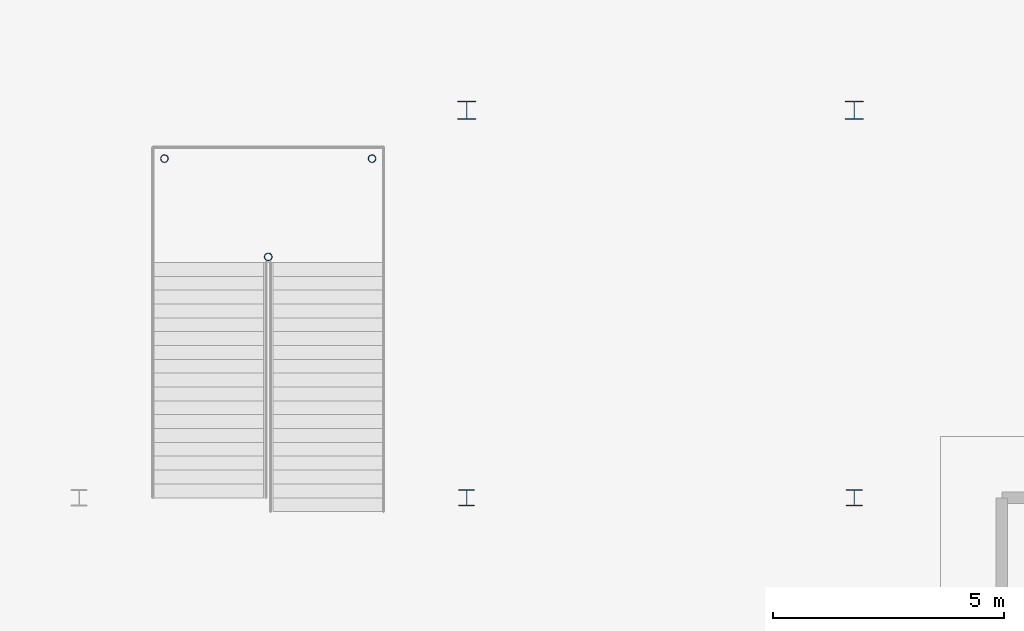
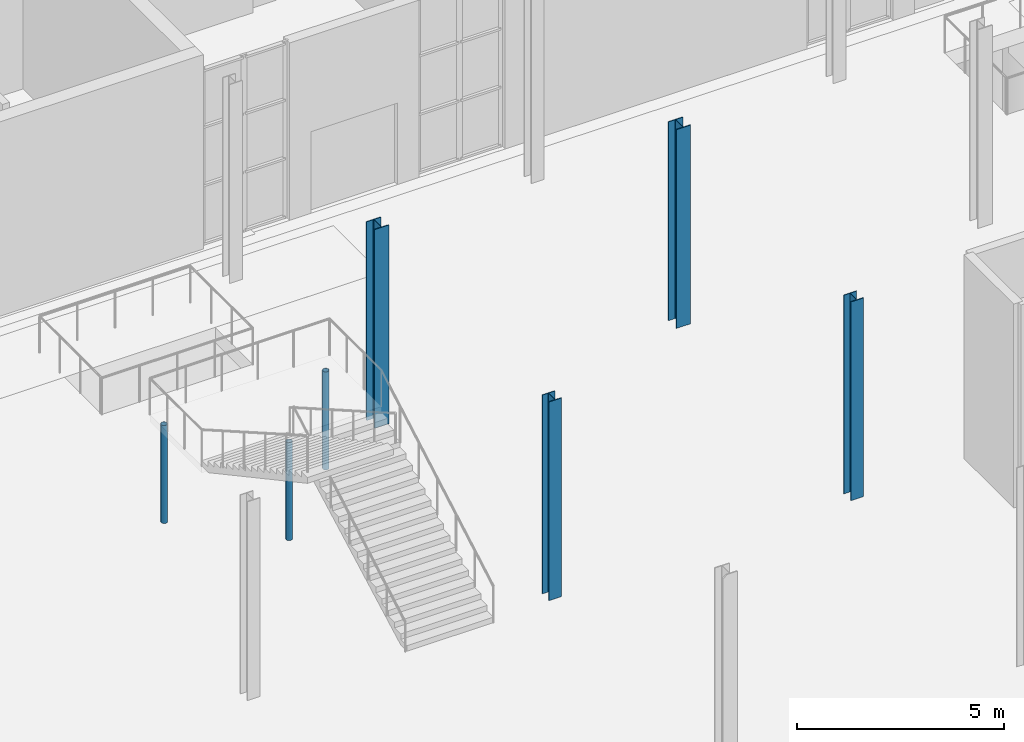
# One storey, part 13 of 108: 7 columns.
"""IFC4 building model written with IfcOpenShell, lengths in metres."""

from ifc_helpers import new_model, si_unit, direction, frame, origin, origin_2d, place, context, subcontext, project, spatial, hollow_circle, i_section, extrude, material, material_profile, profile_set, type_object, element, save


model = new_model("IFC4")

# Units and contexts
model_context = context("Model", 3, precision=1e-05, world=origin(), true_north=direction((0.0, 1.0)))
body_context = subcontext(model_context, "Body", "Model", "MODEL_VIEW")
ifc_project = project(units=[si_unit("LENGTHUNIT", "METRE"), si_unit("AREAUNIT", "SQUARE_METRE"), si_unit("VOLUMEUNIT", "CUBIC_METRE"), si_unit("PLANEANGLEUNIT", "RADIAN"), si_unit("MASSUNIT", "GRAM", prefix="KILO")], contexts=[model_context])

# Site, building, storey
site_placement = place(None, origin())
site = spatial("IfcSite", under=ifc_project, at=site_placement, CompositionType="ELEMENT")
building_placement = place(site_placement, origin())
building = spatial("IfcBuilding", under=site, at=building_placement, Name="Cresset Court Congress Hotel", CompositionType="ELEMENT")
storey_placement = place(building_placement, origin())
storey = spatial("IfcBuildingStorey", under=building, at=storey_placement, Name="L00", CompositionType="ELEMENT", Elevation=0.0)

# Columns
ifc_material_1 = material(Name="Structural steel Q355B", Category="steel")
ifc_material_profile_1 = material_profile(ifc_material_1, hollow_circle(Radius=0.083984375, WallThickness=0.008056640625, at=origin_2d()), Name="CHS168x8")
ifc_profile_set_1 = profile_set([ifc_material_profile_1], Name="Structural steel Q355B")
column_type_1 = type_object("IfcColumnType", Name="Canopy post CHS168x8", PredefinedType="COLUMN", material=ifc_profile_set_1)
for number, where, z_axis, x_axis, name in (
    (1, (12.5, 47.219970703125, 0.0), (0.0, 0.0, 1.0), (1.0, 0.0, 0.0), "Stair post D013"),
    (2, (10.25, 49.35009765625, 0.0), (0.0, 0.0, 1.0), (1.0, 0.0, 0.0), "Stair post D011"),
    (3, (14.75, 49.35009765625, 0.0), (0.0, 0.0, 1.0), (1.0, 0.0, 0.0), "Stair post D012"),
):
    element("IfcColumn", number, at=place(storey_placement, frame(where, z_axis=z_axis, x_axis=x_axis)), inside=storey, type_object=column_type_1, Name=name, PredefinedType="COLUMN", context=body_context, shape_type="SweptSolid", body=[
        extrude(hollow_circle(Radius=0.083984375, WallThickness=0.008056640625, at=origin_2d()), origin(), (0.0, 0.0, 1.0), 2.881103515625),
    ])
ifc_material_2 = material(Name="Structural steel Q355B", Category="steel")
ifc_material_profile_2 = material_profile(ifc_material_2, i_section(OverallWidth=0.35009765625, OverallDepth=0.35009765625, WebThickness=0.011962890625, FlangeThickness=0.01904296875, FilletRadius=0.012939453125, at=origin_2d()), Name="HW350x350x12x19")
ifc_profile_set_2 = profile_set([ifc_material_profile_2], Name="Structural steel Q355B")
column_type_2 = type_object("IfcColumnType", Name="Steel column HW350x350x12x19", PredefinedType="COLUMN", material=ifc_profile_set_2)
for number, where, z_axis, x_axis, name in (
    (4, (16.800048828125, 42.0, 0.0), (0.0, 0.0, 1.0), (1.0, 0.0, 0.0), "Deck column R302"),
    (5, (25.199951171875, 42.0, 0.0), (0.0, 0.0, 1.0), (1.0, 0.0, 0.0), "Deck column R303"),
):
    element("IfcColumn", number, at=place(storey_placement, frame(where, z_axis=z_axis, x_axis=x_axis)), inside=storey, type_object=column_type_2, Name=name, PredefinedType="COLUMN", context=body_context, shape_type="SweptSolid", body=[
        extrude(i_section(OverallWidth=0.35009765625, OverallDepth=0.35009765625, WebThickness=0.011962890625, FlangeThickness=0.01904296875, FilletRadius=0.012939453125, at=origin_2d()), origin(), (0.0, 0.0, 1.0), 5.85009765625),
    ])
ifc_material_3 = material(Name="Structural steel Q355B", Category="steel")
ifc_material_profile_3 = material_profile(ifc_material_3, i_section(OverallWidth=0.39990234375, OverallDepth=0.39990234375, WebThickness=0.012939453125, FlangeThickness=0.02099609375, FilletRadius=0.02197265625, at=origin_2d()), Name="HW400x400x13x21")
ifc_profile_set_3 = profile_set([ifc_material_profile_3], Name="Structural steel Q355B")
column_type_3 = type_object("IfcColumnType", Name="Steel column HW400x400x13x21", PredefinedType="COLUMN", material=ifc_profile_set_3)
for number, where, z_axis, x_axis, name in (
    (6, (16.800048828125, 50.39990234375, 0.0), (0.0, 0.0, 1.0), (1.0, 0.0, 0.0), "Deck column B11"),
    (7, (25.199951171875, 50.39990234375, 0.0), (0.0, 0.0, 1.0), (1.0, 0.0, 0.0), "Deck column B12"),
):
    element("IfcColumn", number, at=place(storey_placement, frame(where, z_axis=z_axis, x_axis=x_axis)), inside=storey, type_object=column_type_3, Name=name, PredefinedType="COLUMN", context=body_context, shape_type="SweptSolid", body=[
        extrude(i_section(OverallWidth=0.39990234375, OverallDepth=0.39990234375, WebThickness=0.012939453125, FlangeThickness=0.02099609375, FilletRadius=0.02197265625, at=origin_2d()), origin(), (0.0, 0.0, 1.0), 5.85009765625),
    ])

save(model, "model.ifc")
